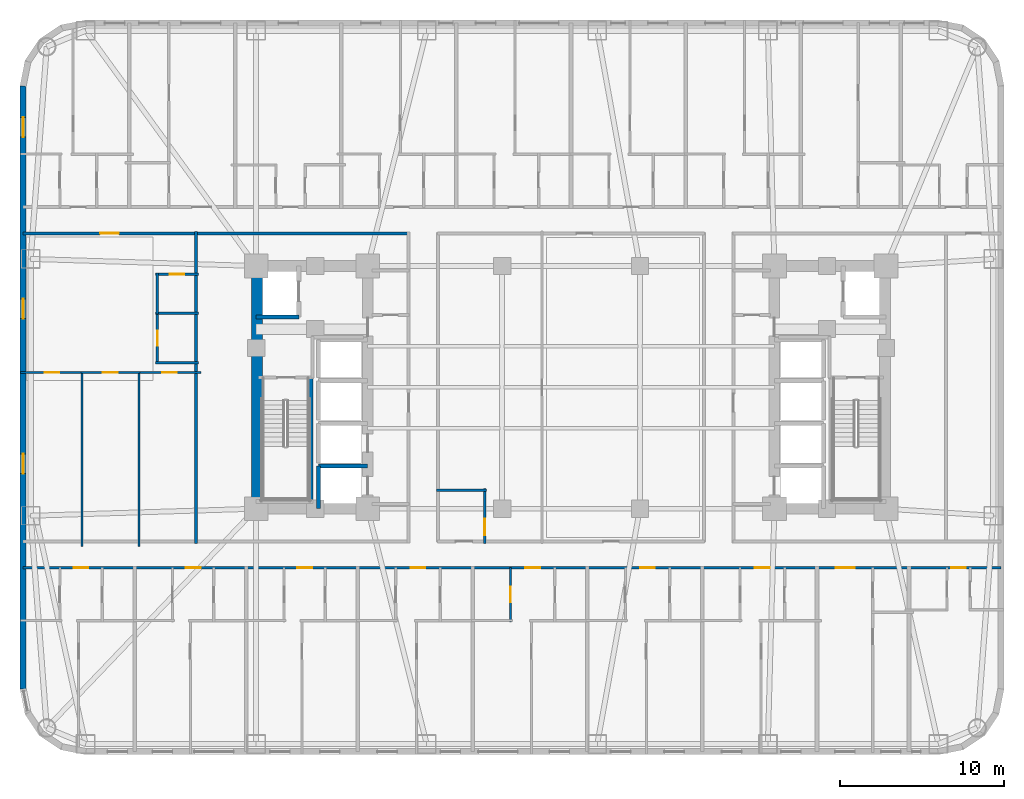
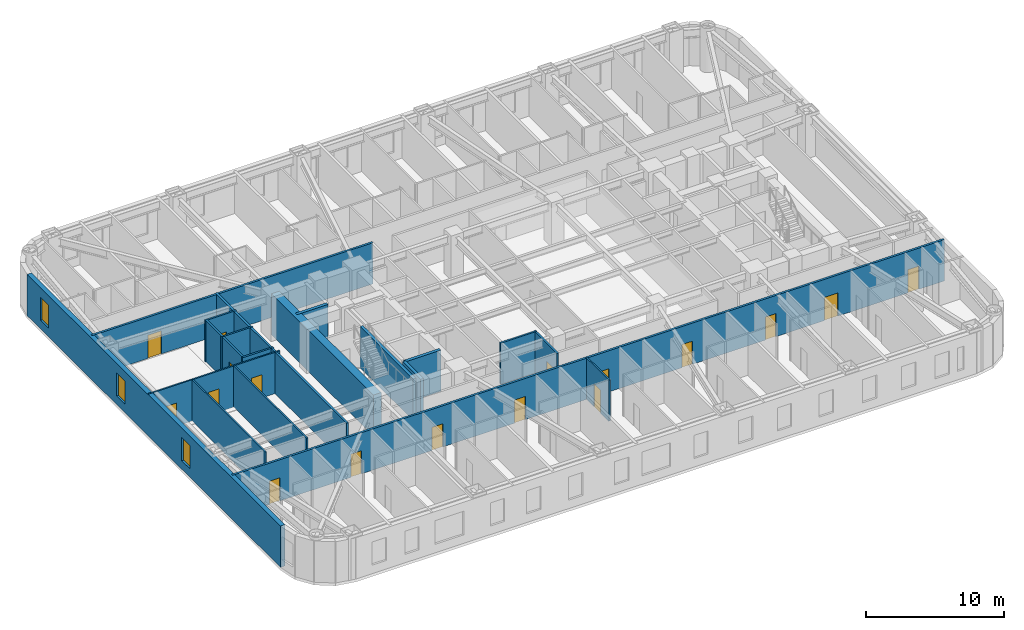
# One storey, part 4 of 12: 22 walls, 17 doors, 3 windows, 20 openings.
"""IFC4 building model written with IfcOpenShell, lengths in metres."""

from ifc_helpers import new_model, si_unit, direction, frame, frame_2d, origin, place, context, subcontext, project, spatial, rectangle, extrude, material, layer, layer_set, type_object, element, fill, save


model = new_model("IFC4")

# Units and contexts
model_context = context("Model", 3, precision=1e-05, world=origin(), true_north=direction((0.0, 1.0)))
body_context = subcontext(model_context, "Body", "Model", "MODEL_VIEW")
ifc_project = project(units=[si_unit("LENGTHUNIT", "METRE"), si_unit("AREAUNIT", "SQUARE_METRE"), si_unit("VOLUMEUNIT", "CUBIC_METRE"), si_unit("PLANEANGLEUNIT", "RADIAN"), si_unit("MASSUNIT", "GRAM", prefix="KILO")], contexts=[model_context])

# Site, building, storey
site_placement = place(None, origin())
site = spatial("IfcSite", under=ifc_project, at=site_placement, CompositionType="ELEMENT")
building_placement = place(site_placement, origin())
building = spatial("IfcBuilding", under=site, at=building_placement, Name="Voryun Gate Residences", CompositionType="ELEMENT")
storey_placement = place(building_placement, frame((0.0, 0.0, 65.0)))
storey = spatial("IfcBuildingStorey", under=building, at=storey_placement, Name="L15", CompositionType="ELEMENT", Elevation=65.0)

# Wall
ifc_material_1 = material(Name="Concrete C60/75", Category="concrete")
ifc_layer_1 = layer(ifc_material_1, 0.64990234375, Name="CW_CORE_650")
ifc_layer_set_1 = layer_set([ifc_layer_1], Name="Concrete C60/75")
wall_type_1 = type_object("IfcWallType", Name="CW_CORE_650", PredefinedType="SHEAR", material=ifc_layer_set_1)
wall_1_placement = place(storey_placement, frame((-19.14501953125, -7.39990234375, 0.0), z_axis=(0.0, 0.0, 1.0), x_axis=(0.0, 1.0, 0.0)))
element("IfcWall", 1, at=wall_1_placement, inside=storey, type_object=wall_type_1, Name="L15 Core shear wall CW-L15-WW", PredefinedType="SHEAR", context=body_context, shape_type="SweptSolid", body=[
    extrude(rectangle(XDim=14.7998046875, YDim=0.64990234375, at=frame_2d((7.39990234375, 0.0))), origin(), (0.0, 0.0, 1.0), 3.64990234375),
])

# Wall, opening, door
ifc_material_2 = material(Name="Gypsum acoustic fireboard")
ifc_layer_2 = layer(ifc_material_2, 0.179931640625, Name="W_CORR_RATED_180")
ifc_layer_set_2 = layer_set([ifc_layer_2], Name="Gypsum acoustic fireboard")
wall_type_2 = type_object("IfcWallType", Name="W_CORR_RATED_180", PredefinedType="PARTITIONING", material=ifc_layer_set_2)
wall_2_placement = place(storey_placement, frame((-33.409912109375, 9.389892578125, 0.0), z_axis=(0.0, 0.0, 1.0), x_axis=(1.0, 0.0, 0.0)))
wall_2 = element("IfcWall", 2, at=wall_2_placement, inside=storey, type_object=wall_type_2, Name="Partition wall WP-L15-CWING-WN", PredefinedType="PARTITIONING", context=body_context, shape_type="SweptSolid", body=[
    extrude(rectangle(XDim=23.530029296875, YDim=0.179931640625, at=frame_2d((11.76513671875, 0.0))), origin(), (0.0, 0.0, 1.0), 3.64990234375),
])
opening_1_placement = place(wall_2_placement, frame((4.69091796875, 0.0, 0.0)))
opening_1 = element("IfcOpeningElement", 3, at=opening_1_placement, cuts=wall_2, Name="Opening D-UNIT-1", PredefinedType="OPENING", context=body_context, shape_type="SweptSolid", body=[
    extrude(rectangle(XDim=1.14990234375, YDim=2.050048828125, at=frame_2d((0.574951171875, 1.02490234375))), frame((0.0, 0.099853515625, 0.0), z_axis=(0.0, -1.0, 0.0), x_axis=(1.0, 0.0, 0.0)), (0.0, 0.0, 1.0), 0.199951171875),
])
ifc_material_3 = material(Name="Armoured timber-clad fire door", Category="wood")
door_type_1 = type_object("IfcDoorType", Name="DR_UNIT_ENTRY_1150", OperationType="NOTDEFINED", PredefinedType="DOOR", material=ifc_material_3)
door_1_placement = place(opening_1_placement, origin())
door_1 = element("IfcDoor", 4, at=door_1_placement, inside=storey, type_object=door_type_1, Name="Door DR-L15-WE1N", OperationType="SINGLE_SWING_LEFT", OverallHeight=2.050048828125, OverallWidth=1.14990234375, PredefinedType="DOOR", context=body_context, shape_type="SweptSolid", body=[
    extrude(rectangle(XDim=1.14990234375, YDim=2.050048828125, at=frame_2d((0.574951171875, 1.02490234375))), frame((0.0, 0.02490234375, 0.0), z_axis=(0.0, -1.0, 0.0), x_axis=(1.0, 0.0, 0.0)), (0.0, 0.0, 1.0), 0.050048828125),
])
fill(opening_1, door_1)

# Wall, openings, doors
wall_3_placement = place(storey_placement, frame((-33.409912109375, -11.0, 0.0), z_axis=(0.0, 0.0, 1.0), x_axis=(1.0, 0.0, 0.0)))
wall_3 = element("IfcWall", 5, at=wall_3_placement, inside=storey, type_object=wall_type_2, Name="Partition wall WP-L15-SCORR", PredefinedType="PARTITIONING", context=body_context, shape_type="SweptSolid", body=[
    extrude(rectangle(XDim=59.619873046875, YDim=0.179931640625, at=frame_2d((29.81005859375, 0.0))), origin(), (0.0, 0.0, 1.0), 3.64990234375),
])
opening_2_placement = place(wall_3_placement, frame((3.07958984375, 0.0, 0.0)))
opening_2 = element("IfcOpeningElement", 6, at=opening_2_placement, cuts=wall_3, Name="Opening D-INT-2", PredefinedType="OPENING", context=body_context, shape_type="SweptSolid", body=[
    extrude(rectangle(XDim=0.89990234375, YDim=2.050048828125, at=frame_2d((0.449951171875, 1.02490234375))), frame((0.0, 0.099853515625, 0.0), z_axis=(0.0, -1.0, 0.0), x_axis=(1.0, 0.0, 0.0)), (0.0, 0.0, 1.0), 0.199951171875),
])
opening_3_placement = place(wall_3_placement, frame((9.91796875, 0.0, 0.0)))
opening_3 = element("IfcOpeningElement", 7, at=opening_3_placement, cuts=wall_3, Name="Opening D-INT-2", PredefinedType="OPENING", context=body_context, shape_type="SweptSolid", body=[
    extrude(rectangle(XDim=0.89990234375, YDim=2.050048828125, at=frame_2d((0.449951171875, 1.02490234375))), frame((0.0, 0.099853515625, 0.0), z_axis=(0.0, -1.0, 0.0), x_axis=(1.0, 0.0, 0.0)), (0.0, 0.0, 1.0), 0.199951171875),
])
opening_4_placement = place(wall_3_placement, frame((16.720703125, 0.0, 0.0)))
opening_4 = element("IfcOpeningElement", 8, at=opening_4_placement, cuts=wall_3, Name="Opening D-INT-2", PredefinedType="OPENING", context=body_context, shape_type="SweptSolid", body=[
    extrude(rectangle(XDim=0.89990234375, YDim=2.050048828125, at=frame_2d((0.449951171875, 1.02490234375))), frame((0.0, 0.099853515625, 0.0), z_axis=(0.0, -1.0, 0.0), x_axis=(1.0, 0.0, 0.0)), (0.0, 0.0, 1.0), 0.199951171875),
])
opening_5_placement = place(wall_3_placement, frame((23.62451171875, 0.0, 0.0)))
opening_5 = element("IfcOpeningElement", 9, at=opening_5_placement, cuts=wall_3, Name="Opening D-INT-2", PredefinedType="OPENING", context=body_context, shape_type="SweptSolid", body=[
    extrude(rectangle(XDim=0.89990234375, YDim=2.050048828125, at=frame_2d((0.449951171875, 1.02490234375))), frame((0.0, 0.099853515625, 0.0), z_axis=(0.0, -1.0, 0.0), x_axis=(1.0, 0.0, 0.0)), (0.0, 0.0, 1.0), 0.199951171875),
])
opening_6_placement = place(wall_3_placement, frame((30.623779296875, 0.0, 0.0)))
opening_6 = element("IfcOpeningElement", 10, at=opening_6_placement, cuts=wall_3, Name="Opening D-INT-2", PredefinedType="OPENING", context=body_context, shape_type="SweptSolid", body=[
    extrude(rectangle(XDim=0.89990234375, YDim=2.050048828125, at=frame_2d((0.449951171875, 1.02490234375))), frame((0.0, 0.099853515625, 0.0), z_axis=(0.0, -1.0, 0.0), x_axis=(1.0, 0.0, 0.0)), (0.0, 0.0, 1.0), 0.199951171875),
])
opening_7_placement = place(wall_3_placement, frame((37.623291015625, 0.0, 0.0)))
opening_7 = element("IfcOpeningElement", 11, at=opening_7_placement, cuts=wall_3, Name="Opening D-INT-2", PredefinedType="OPENING", context=body_context, shape_type="SweptSolid", body=[
    extrude(rectangle(XDim=0.89990234375, YDim=2.050048828125, at=frame_2d((0.449951171875, 1.02490234375))), frame((0.0, 0.099853515625, 0.0), z_axis=(0.0, -1.0, 0.0), x_axis=(1.0, 0.0, 0.0)), (0.0, 0.0, 1.0), 0.199951171875),
])
opening_8_placement = place(wall_3_placement, frame((44.622802734375, 0.0, 0.0)))
opening_8 = element("IfcOpeningElement", 12, at=opening_8_placement, cuts=wall_3, Name="Opening D-INT-2", PredefinedType="OPENING", context=body_context, shape_type="SweptSolid", body=[
    extrude(rectangle(XDim=0.89990234375, YDim=2.050048828125, at=frame_2d((0.449951171875, 1.02490234375))), frame((0.0, 0.099853515625, 0.0), z_axis=(0.0, -1.0, 0.0), x_axis=(1.0, 0.0, 0.0)), (0.0, 0.0, 1.0), 0.199951171875),
])
opening_9_placement = place(wall_3_placement, frame((49.5654296875, 0.0, 0.0)))
opening_9 = element("IfcOpeningElement", 13, at=opening_9_placement, cuts=wall_3, Name="Opening D-UNIT-1", PredefinedType="OPENING", context=body_context, shape_type="SweptSolid", body=[
    extrude(rectangle(XDim=1.14990234375, YDim=2.050048828125, at=frame_2d((0.574951171875, 1.02490234375))), frame((0.0, 0.099853515625, 0.0), z_axis=(0.0, -1.0, 0.0), x_axis=(1.0, 0.0, 0.0)), (0.0, 0.0, 1.0), 0.199951171875),
])
opening_10_placement = place(wall_3_placement, frame((56.58251953125, 0.0, 0.0)))
opening_10 = element("IfcOpeningElement", 14, at=opening_10_placement, cuts=wall_3, Name="Opening D-INT-2", PredefinedType="OPENING", context=body_context, shape_type="SweptSolid", body=[
    extrude(rectangle(XDim=0.89990234375, YDim=2.050048828125, at=frame_2d((0.449951171875, 1.02490234375))), frame((0.0, 0.099853515625, 0.0), z_axis=(0.0, -1.0, 0.0), x_axis=(1.0, 0.0, 0.0)), (0.0, 0.0, 1.0), 0.199951171875),
])
ifc_material_4 = material(Name="Architectural oak veneer")
door_type_2 = type_object("IfcDoorType", Name="DR_INT_BATH_900", OperationType="NOTDEFINED", PredefinedType="DOOR", material=ifc_material_4)
door_2_placement = place(opening_2_placement, origin())
door_2 = element("IfcDoor", 15, at=door_2_placement, inside=storey, type_object=door_type_2, Name="Door DR-L15-SENT-1", OperationType="SINGLE_SWING_RIGHT", OverallHeight=2.050048828125, OverallWidth=0.89990234375, PredefinedType="DOOR", context=body_context, shape_type="SweptSolid", body=[
    extrude(rectangle(XDim=0.89990234375, YDim=2.050048828125, at=frame_2d((0.449951171875, 1.02490234375))), frame((0.0, 0.02490234375, 0.0), z_axis=(0.0, -1.0, 0.0), x_axis=(1.0, 0.0, 0.0)), (0.0, 0.0, 1.0), 0.050048828125),
])
fill(opening_2, door_2)
door_3_placement = place(opening_3_placement, origin())
door_3 = element("IfcDoor", 16, at=door_3_placement, inside=storey, type_object=door_type_2, Name="Door DR-L15-SENT-2", OperationType="SINGLE_SWING_LEFT", OverallHeight=2.050048828125, OverallWidth=0.89990234375, PredefinedType="DOOR", context=body_context, shape_type="SweptSolid", body=[
    extrude(rectangle(XDim=0.89990234375, YDim=2.050048828125, at=frame_2d((0.449951171875, 1.02490234375))), frame((0.0, 0.02490234375, 0.0), z_axis=(0.0, -1.0, 0.0), x_axis=(1.0, 0.0, 0.0)), (0.0, 0.0, 1.0), 0.050048828125),
])
fill(opening_3, door_3)
door_4_placement = place(opening_4_placement, origin())
door_4 = element("IfcDoor", 17, at=door_4_placement, inside=storey, type_object=door_type_2, Name="Door DR-L15-SENT-3", OperationType="SINGLE_SWING_RIGHT", OverallHeight=2.050048828125, OverallWidth=0.89990234375, PredefinedType="DOOR", context=body_context, shape_type="SweptSolid", body=[
    extrude(rectangle(XDim=0.89990234375, YDim=2.050048828125, at=frame_2d((0.449951171875, 1.02490234375))), frame((0.0, 0.02490234375, 0.0), z_axis=(0.0, -1.0, 0.0), x_axis=(1.0, 0.0, 0.0)), (0.0, 0.0, 1.0), 0.050048828125),
])
fill(opening_4, door_4)
door_5_placement = place(opening_5_placement, origin())
door_5 = element("IfcDoor", 18, at=door_5_placement, inside=storey, type_object=door_type_2, Name="Door DR-L15-SENT-4", OperationType="SINGLE_SWING_LEFT", OverallHeight=2.050048828125, OverallWidth=0.89990234375, PredefinedType="DOOR", context=body_context, shape_type="SweptSolid", body=[
    extrude(rectangle(XDim=0.89990234375, YDim=2.050048828125, at=frame_2d((0.449951171875, 1.02490234375))), frame((0.0, 0.02490234375, 0.0), z_axis=(0.0, -1.0, 0.0), x_axis=(1.0, 0.0, 0.0)), (0.0, 0.0, 1.0), 0.050048828125),
])
fill(opening_5, door_5)
door_6_placement = place(opening_6_placement, origin())
door_6 = element("IfcDoor", 19, at=door_6_placement, inside=storey, type_object=door_type_2, Name="Door DR-L15-SENT-5", OperationType="SINGLE_SWING_RIGHT", OverallHeight=2.050048828125, OverallWidth=0.89990234375, PredefinedType="DOOR", context=body_context, shape_type="SweptSolid", body=[
    extrude(rectangle(XDim=0.89990234375, YDim=2.050048828125, at=frame_2d((0.449951171875, 1.02490234375))), frame((0.0, 0.02490234375, 0.0), z_axis=(0.0, -1.0, 0.0), x_axis=(1.0, 0.0, 0.0)), (0.0, 0.0, 1.0), 0.050048828125),
])
fill(opening_6, door_6)
door_7_placement = place(opening_7_placement, origin())
door_7 = element("IfcDoor", 20, at=door_7_placement, inside=storey, type_object=door_type_2, Name="Door DR-L15-SENT-6", OperationType="SINGLE_SWING_LEFT", OverallHeight=2.050048828125, OverallWidth=0.89990234375, PredefinedType="DOOR", context=body_context, shape_type="SweptSolid", body=[
    extrude(rectangle(XDim=0.89990234375, YDim=2.050048828125, at=frame_2d((0.449951171875, 1.02490234375))), frame((0.0, 0.02490234375, 0.0), z_axis=(0.0, -1.0, 0.0), x_axis=(1.0, 0.0, 0.0)), (0.0, 0.0, 1.0), 0.050048828125),
])
fill(opening_7, door_7)
door_8_placement = place(opening_8_placement, origin())
door_8 = element("IfcDoor", 21, at=door_8_placement, inside=storey, type_object=door_type_2, Name="Door DR-L15-SENT-7", OperationType="SINGLE_SWING_RIGHT", OverallHeight=2.050048828125, OverallWidth=0.89990234375, PredefinedType="DOOR", context=body_context, shape_type="SweptSolid", body=[
    extrude(rectangle(XDim=0.89990234375, YDim=2.050048828125, at=frame_2d((0.449951171875, 1.02490234375))), frame((0.0, 0.02490234375, 0.0), z_axis=(0.0, -1.0, 0.0), x_axis=(1.0, 0.0, 0.0)), (0.0, 0.0, 1.0), 0.050048828125),
])
fill(opening_8, door_8)
door_9_placement = place(opening_10_placement, origin())
door_9 = element("IfcDoor", 22, at=door_9_placement, inside=storey, type_object=door_type_2, Name="Door DR-L15-SENT-9", OperationType="SINGLE_SWING_RIGHT", OverallHeight=2.050048828125, OverallWidth=0.89990234375, PredefinedType="DOOR", context=body_context, shape_type="SweptSolid", body=[
    extrude(rectangle(XDim=0.89990234375, YDim=2.050048828125, at=frame_2d((0.449951171875, 1.02490234375))), frame((0.0, 0.02490234375, 0.0), z_axis=(0.0, -1.0, 0.0), x_axis=(1.0, 0.0, 0.0)), (0.0, 0.0, 1.0), 0.050048828125),
])
fill(opening_10, door_9)
door_10_placement = place(opening_9_placement, origin())
door_10 = element("IfcDoor", 23, at=door_10_placement, inside=storey, type_object=door_type_1, Name="Door DR-L15-SENT-8", OperationType="SINGLE_SWING_LEFT", OverallHeight=2.050048828125, OverallWidth=1.14990234375, PredefinedType="DOOR", context=body_context, shape_type="SweptSolid", body=[
    extrude(rectangle(XDim=1.14990234375, YDim=2.050048828125, at=frame_2d((0.574951171875, 1.02490234375))), frame((0.0, 0.02490234375, 0.0), z_axis=(0.0, -1.0, 0.0), x_axis=(1.0, 0.0, 0.0)), (0.0, 0.0, 1.0), 0.050048828125),
])
fill(opening_9, door_10)

# Wall
wall_4_placement = place(storey_placement, frame((-22.8701171875, -9.510009765625, 0.0), z_axis=(0.0, 0.0, 1.0), x_axis=(0.0, 1.0, 0.0)))
element("IfcWall", 24, at=wall_4_placement, inside=storey, type_object=wall_type_2, Name="Partition wall WP-L15-WCOR", PredefinedType="PARTITIONING", context=body_context, shape_type="SweptSolid", body=[
    extrude(rectangle(XDim=19.02001953125, YDim=0.179931640625, at=frame_2d((9.510009765625, 0.0))), origin(), (0.0, 0.0, 1.0), 3.64990234375),
])

# Wall, openings, windows
ifc_material_5 = material(Name="Granite masonry", Category="masonry")
ifc_layer_3 = layer(ifc_material_5, 0.3798828125, Name="W_EXT_GRANITE_380")
ifc_layer_set_3 = layer_set([ifc_layer_3], Name="Granite masonry")
wall_type_3 = type_object("IfcWallType", Name="W_EXT_GRANITE_380", PredefinedType="ELEMENTEDWALL", material=ifc_layer_set_3)
wall_5_placement = place(storey_placement, frame((-33.409912109375, -18.38134765625, 0.0), z_axis=(0.0, 0.0, 1.0), x_axis=(0.0, 1.0, 0.0)))
wall_5 = element("IfcWall", 25, at=wall_5_placement, inside=storey, type_object=wall_type_3, Name="Exterior wall WEXT-L15-06", PredefinedType="ELEMENTEDWALL", context=body_context, shape_type="SweptSolid", body=[
    extrude(rectangle(XDim=36.7626953125, YDim=0.3798828125, at=frame_2d((18.38134765625, 0.0))), origin(), (0.0, 0.0, 1.0), 3.64990234375),
])
opening_11_placement = place(wall_5_placement, frame((33.636962890625, 0.0, 0.75)))
opening_11 = element("IfcOpeningElement", 26, at=opening_11_placement, cuts=wall_5, Name="Opening WN6", PredefinedType="OPENING", context=body_context, shape_type="SweptSolid", body=[
    extrude(rectangle(XDim=1.199951171875, YDim=2.050048828125, at=frame_2d((0.60009765625, 1.02490234375))), frame((0.0, 0.199951171875, 0.0), z_axis=(0.0, -1.0, 0.0), x_axis=(1.0, 0.0, 0.0)), (0.0, 0.0, 1.0), 0.39990234375),
])
opening_12_placement = place(wall_5_placement, frame((22.576416015625, 0.0, 0.75)))
opening_12 = element("IfcOpeningElement", 27, at=opening_12_placement, cuts=wall_5, Name="Opening WN6", PredefinedType="OPENING", context=body_context, shape_type="SweptSolid", body=[
    extrude(rectangle(XDim=1.199951171875, YDim=2.050048828125, at=frame_2d((0.60009765625, 1.02490234375))), frame((0.0, 0.199951171875, 0.0), z_axis=(0.0, -1.0, 0.0), x_axis=(1.0, 0.0, 0.0)), (0.0, 0.0, 1.0), 0.39990234375),
])
opening_13_placement = place(wall_5_placement, frame((13.126220703125, 0.0, 0.75)))
opening_13 = element("IfcOpeningElement", 28, at=opening_13_placement, cuts=wall_5, Name="Opening WN6", PredefinedType="OPENING", context=body_context, shape_type="SweptSolid", body=[
    extrude(rectangle(XDim=1.199951171875, YDim=2.050048828125, at=frame_2d((0.60009765625, 1.02490234375))), frame((0.0, 0.199951171875, 0.0), z_axis=(0.0, -1.0, 0.0), x_axis=(1.0, 0.0, 0.0)), (0.0, 0.0, 1.0), 0.39990234375),
])
ifc_material_6 = material(Name="Laminated low-E glass", Category="glass")
window_type = type_object("IfcWindowType", Name="WN_POD_SLOT_1200", PartitioningType="SINGLE_PANEL", PredefinedType="WINDOW", material=ifc_material_6)
window_1_placement = place(opening_11_placement, origin())
window_1 = element("IfcWindow", 29, at=window_1_placement, inside=storey, type_object=window_type, Name="Window WN-L15-DWFIX-01", OverallHeight=2.050048828125, OverallWidth=1.199951171875, PartitioningType="SINGLE_PANEL", PredefinedType="WINDOW", context=body_context, shape_type="SweptSolid", body=[
    extrude(rectangle(XDim=1.199951171875, YDim=2.050048828125, at=frame_2d((0.60009765625, 1.02490234375))), frame((0.0, 0.030029296875, 0.0), z_axis=(0.0, -1.0, 0.0), x_axis=(1.0, 0.0, 0.0)), (0.0, 0.0, 1.0), 0.06005859375),
])
fill(opening_11, window_1)
window_2_placement = place(opening_12_placement, origin())
window_2 = element("IfcWindow", 30, at=window_2_placement, inside=storey, type_object=window_type, Name="Window WN-L15-DWFIX-29", OverallHeight=2.050048828125, OverallWidth=1.199951171875, PartitioningType="SINGLE_PANEL", PredefinedType="WINDOW", context=body_context, shape_type="SweptSolid", body=[
    extrude(rectangle(XDim=1.199951171875, YDim=2.050048828125, at=frame_2d((0.60009765625, 1.02490234375))), frame((0.0, 0.030029296875, 0.0), z_axis=(0.0, -1.0, 0.0), x_axis=(1.0, 0.0, 0.0)), (0.0, 0.0, 1.0), 0.06005859375),
])
fill(opening_12, window_2)
window_3_placement = place(opening_13_placement, origin())
window_3 = element("IfcWindow", 31, at=window_3_placement, inside=storey, type_object=window_type, Name="Window WN-L15-DWFIX-30", OverallHeight=2.050048828125, OverallWidth=1.199951171875, PartitioningType="SINGLE_PANEL", PredefinedType="WINDOW", context=body_context, shape_type="SweptSolid", body=[
    extrude(rectangle(XDim=1.199951171875, YDim=2.050048828125, at=frame_2d((0.60009765625, 1.02490234375))), frame((0.0, 0.030029296875, 0.0), z_axis=(0.0, -1.0, 0.0), x_axis=(1.0, 0.0, 0.0)), (0.0, 0.0, 1.0), 0.06005859375),
])
fill(opening_13, window_3)

# Walls
ifc_material_7 = material(Name="Concrete C50/60", Category="concrete")
ifc_layer_4 = layer(ifc_material_7, 0.25, Name="W_SHAFT_RC250")
ifc_layer_set_4 = layer_set([ifc_layer_4], Name="Concrete C50/60")
wall_type_4 = type_object("IfcWallType", Name="W_SHAFT_RC250", PredefinedType="SOLIDWALL", material=ifc_layer_set_4)
wall_6_placement = place(storey_placement, frame((-15.860107421875, -7.0849609375, 0.0), z_axis=(0.0, 0.0, 1.0), x_axis=(0.0, 1.0, 0.0)))
element("IfcWall", 32, at=wall_6_placement, inside=storey, type_object=wall_type_4, Name="L15 Stair shaft structural wall W-STR", PredefinedType="SOLIDWALL", context=body_context, shape_type="SweptSolid", body=[
    extrude(rectangle(XDim=7.68505859375, YDim=0.25, at=frame_2d((3.842529296875, 0.0))), origin(), (0.0, 0.0, 1.0), 3.64990234375),
])
wall_7_placement = place(storey_placement, frame((-19.199951171875, 4.300048828125, 0.0), z_axis=(0.0, 0.0, 1.0), x_axis=(1.0, 0.0, 0.0)))
element("IfcWall", 33, at=wall_7_placement, inside=storey, type_object=wall_type_4, Name="Lift shaft wall WSH-L15-EL-FF-W1-S", PredefinedType="SOLIDWALL", context=body_context, shape_type="SweptSolid", body=[
    extrude(rectangle(XDim=2.599853515625, YDim=0.25, at=frame_2d((1.2998046875, 0.0))), origin(), (0.0, 0.0, 1.0), 3.64990234375),
])
wall_8_placement = place(storey_placement, frame((-12.39990234375, -4.800048828125, 0.0), z_axis=(0.0, 0.0, 1.0), x_axis=(-1.0, 0.0, 0.0)))
element("IfcWall", 34, at=wall_8_placement, inside=storey, type_object=wall_type_4, Name="Lift shaft wall WSH-L15-EL-P1-N", PredefinedType="SOLIDWALL", context=body_context, shape_type="SweptSolid", body=[
    extrude(rectangle(XDim=3.0, YDim=0.25, at=frame_2d((1.5, 0.0))), origin(), (0.0, 0.0, 1.0), 3.64990234375),
])
wall_9_placement = place(storey_placement, frame((-15.39990234375, -4.800048828125, 0.0), z_axis=(0.0, 0.0, 1.0), x_axis=(0.0, -1.0, 0.0)))
element("IfcWall", 35, at=wall_9_placement, inside=storey, type_object=wall_type_4, Name="Lift shaft wall WSH-L15-EL-P1-W", PredefinedType="SOLIDWALL", context=body_context, shape_type="SweptSolid", body=[
    extrude(rectangle(XDim=2.599853515625, YDim=0.25, at=frame_2d((1.2998046875, 0.0))), origin(), (0.0, 0.0, 1.0), 3.64990234375),
])

# Wall, opening, door
ifc_material_8 = material(Name="Gypsum acoustic partition")
ifc_layer_5 = layer(ifc_material_8, 0.125, Name="W_UNIT_PART_125")
ifc_layer_set_5 = layer_set([ifc_layer_5], Name="Gypsum acoustic partition")
wall_type_5 = type_object("IfcWallType", Name="W_UNIT_PART_125", PredefinedType="PARTITIONING", material=ifc_layer_set_5)
wall_10_placement = place(storey_placement, frame((-3.68994140625, -14.300048828125, 0.0), z_axis=(0.0, 0.0, 1.0), x_axis=(0.0, 1.0, 0.0)))
wall_10 = element("IfcWall", 36, at=wall_10_placement, inside=storey, type_object=wall_type_5, Name="Partition wall WP-L15-S5-IVK", PredefinedType="PARTITIONING", context=body_context, shape_type="SweptSolid", body=[
    extrude(rectangle(XDim=3.320068359375, YDim=0.125, at=frame_2d((1.66015625, 0.0))), origin(), (0.0, 0.0, 1.0), 3.64990234375),
])
opening_14_placement = place(wall_10_placement, frame((1.18505859375, 0.0, 0.0)))
opening_14 = element("IfcOpeningElement", 37, at=opening_14_placement, cuts=wall_10, Name="Opening D-INT-1", PredefinedType="OPENING", context=body_context, shape_type="SweptSolid", body=[
    extrude(rectangle(XDim=0.949951171875, YDim=2.050048828125, at=frame_2d((0.47509765625, 1.02490234375))), frame((0.0, 0.072509765625, 0.0), z_axis=(0.0, -1.0, 0.0), x_axis=(1.0, 0.0, 0.0)), (0.0, 0.0, 1.0), 0.14501953125),
])
ifc_material_9 = material(Name="Architectural oak veneer")
door_type_3 = type_object("IfcDoorType", Name="DR_INT_ROOM_950", OperationType="NOTDEFINED", PredefinedType="DOOR", material=ifc_material_9)
door_11_placement = place(opening_14_placement, origin())
door_11 = element("IfcDoor", 38, at=door_11_placement, inside=storey, type_object=door_type_3, Name="Door DR-L15-S5-DK", OperationType="SINGLE_SWING_LEFT", OverallHeight=2.050048828125, OverallWidth=0.949951171875, PredefinedType="DOOR", context=body_context, shape_type="SweptSolid", body=[
    extrude(rectangle(XDim=0.949951171875, YDim=2.050048828125, at=frame_2d((0.47509765625, 1.02490234375))), frame((0.0, 0.02490234375, 0.0), z_axis=(0.0, -1.0, 0.0), x_axis=(1.0, 0.0, 0.0)), (0.0, 0.0, 1.0), 0.050048828125),
])
fill(opening_14, door_11)

wall_11_placement = place(storey_placement, frame((-33.56005859375, 0.909912109375, 0.0), z_axis=(0.0, 0.0, 1.0), x_axis=(1.0, 0.0, 0.0)))
wall_11 = element("IfcWall", 39, at=wall_11_placement, inside=storey, type_object=wall_type_5, Name="Partition wall WP-L15-W1-HZMB1", PredefinedType="PARTITIONING", context=body_context, shape_type="SweptSolid", body=[
    extrude(rectangle(XDim=3.79150390625, YDim=0.125, at=frame_2d((1.895751953125, 0.0))), origin(), (0.0, 0.0, 1.0), 3.64990234375),
])
opening_15_placement = place(wall_11_placement, frame((1.45458984375, 0.0, 0.0)))
opening_15 = element("IfcOpeningElement", 40, at=opening_15_placement, cuts=wall_11, Name="Opening D-INT-2", PredefinedType="OPENING", context=body_context, shape_type="SweptSolid", body=[
    extrude(rectangle(XDim=0.89990234375, YDim=2.050048828125, at=frame_2d((0.449951171875, 1.02490234375))), frame((0.0, 0.072509765625, 0.0), z_axis=(0.0, -1.0, 0.0), x_axis=(1.0, 0.0, 0.0)), (0.0, 0.0, 1.0), 0.14501953125),
])
door_12_placement = place(opening_15_placement, origin())
door_12 = element("IfcDoor", 41, at=door_12_placement, inside=storey, type_object=door_type_2, Name="Door DR-L15-W1-DMB", OperationType="SINGLE_SWING_LEFT", OverallHeight=2.050048828125, OverallWidth=0.89990234375, PredefinedType="DOOR", context=body_context, shape_type="SweptSolid", body=[
    extrude(rectangle(XDim=0.89990234375, YDim=2.050048828125, at=frame_2d((0.449951171875, 1.02490234375))), frame((0.0, 0.02490234375, 0.0), z_axis=(0.0, -1.0, 0.0), x_axis=(1.0, 0.0, 0.0)), (0.0, 0.0, 1.0), 0.050048828125),
])
fill(opening_15, door_12)

wall_12_placement = place(storey_placement, frame((-29.8935546875, 0.909912109375, 0.0), z_axis=(0.0, 0.0, 1.0), x_axis=(1.0, 0.0, 0.0)))
wall_12 = element("IfcWall", 42, at=wall_12_placement, inside=storey, type_object=wall_type_5, Name="Partition wall WP-L15-W1-HZMB2", PredefinedType="PARTITIONING", context=body_context, shape_type="SweptSolid", body=[
    extrude(rectangle(XDim=3.60498046875, YDim=0.125, at=frame_2d((1.802490234375, 0.0))), origin(), (0.0, 0.0, 1.0), 3.64990234375),
])
opening_16_placement = place(wall_12_placement, frame((1.3525390625, 0.0, 0.0)))
opening_16 = element("IfcOpeningElement", 43, at=opening_16_placement, cuts=wall_12, Name="Opening D-INT-2", PredefinedType="OPENING", context=body_context, shape_type="SweptSolid", body=[
    extrude(rectangle(XDim=0.89990234375, YDim=2.050048828125, at=frame_2d((0.449951171875, 1.02490234375))), frame((0.0, 0.072509765625, 0.0), z_axis=(0.0, -1.0, 0.0), x_axis=(1.0, 0.0, 0.0)), (0.0, 0.0, 1.0), 0.14501953125),
])
door_13_placement = place(opening_16_placement, origin())
door_13 = element("IfcDoor", 44, at=door_13_placement, inside=storey, type_object=door_type_2, Name="Door DR-L15-W1-DBD2", OperationType="SINGLE_SWING_RIGHT", OverallHeight=2.050048828125, OverallWidth=0.89990234375, PredefinedType="DOOR", context=body_context, shape_type="SweptSolid", body=[
    extrude(rectangle(XDim=0.89990234375, YDim=2.050048828125, at=frame_2d((0.449951171875, 1.02490234375))), frame((0.0, 0.02490234375, 0.0), z_axis=(0.0, -1.0, 0.0), x_axis=(1.0, 0.0, 0.0)), (0.0, 0.0, 1.0), 0.050048828125),
])
fill(opening_16, door_13)

wall_13_placement = place(storey_placement, frame((-26.41357421875, 0.909912109375, 0.0), z_axis=(0.0, 0.0, 1.0), x_axis=(1.0, 0.0, 0.0)))
wall_13 = element("IfcWall", 45, at=wall_13_placement, inside=storey, type_object=wall_type_5, Name="Partition wall WP-L15-W1-HZMB3", PredefinedType="PARTITIONING", context=body_context, shape_type="SweptSolid", body=[
    extrude(rectangle(XDim=3.863525390625, YDim=0.125, at=frame_2d((1.931640625, 0.0))), origin(), (0.0, 0.0, 1.0), 3.64990234375),
])
opening_17_placement = place(wall_13_placement, frame((1.472900390625, 0.0, 0.0)))
opening_17 = element("IfcOpeningElement", 46, at=opening_17_placement, cuts=wall_13, Name="Opening D-INT-2", PredefinedType="OPENING", context=body_context, shape_type="SweptSolid", body=[
    extrude(rectangle(XDim=0.89990234375, YDim=2.050048828125, at=frame_2d((0.449951171875, 1.02490234375))), frame((0.0, 0.072509765625, 0.0), z_axis=(0.0, -1.0, 0.0), x_axis=(1.0, 0.0, 0.0)), (0.0, 0.0, 1.0), 0.14501953125),
])
door_14_placement = place(opening_17_placement, origin())
door_14 = element("IfcDoor", 47, at=door_14_placement, inside=storey, type_object=door_type_2, Name="Door DR-L15-W1-DBD3", OperationType="SINGLE_SWING_LEFT", OverallHeight=2.050048828125, OverallWidth=0.89990234375, PredefinedType="DOOR", context=body_context, shape_type="SweptSolid", body=[
    extrude(rectangle(XDim=0.89990234375, YDim=2.050048828125, at=frame_2d((0.449951171875, 1.02490234375))), frame((0.0, 0.02490234375, 0.0), z_axis=(0.0, -1.0, 0.0), x_axis=(1.0, 0.0, 0.0)), (0.0, 0.0, 1.0), 0.050048828125),
])
fill(opening_17, door_14)

# Walls
for number, where, z_axis, x_axis, name in (
    (48, (-26.35107421875, -9.7099609375, 0.0), (0.0, 0.0, 1.0), (0.0, 1.0, 0.0), "Partition wall WP-L15-W1-VMB2"),
    (49, (-29.8310546875, -9.7099609375, 0.0), (0.0, 0.0, 1.0), (0.0, 1.0, 0.0), "Partition wall WP-L15-W1-VMB"),
):
    element("IfcWall", number, at=place(storey_placement, frame(where, z_axis=z_axis, x_axis=x_axis)), inside=storey, type_object=wall_type_5, Name=name, PredefinedType="PARTITIONING", context=body_context, shape_type="SweptSolid", body=[
        extrude(rectangle(XDim=10.679931640625, YDim=0.125, at=frame_2d((5.33984375, 0.0))), origin(), (0.0, 0.0, 1.0), 3.64990234375),
    ])

# Wall, opening, door
ifc_material_10 = material(Name="Gypsum moisture-resistant partition")
ifc_layer_6 = layer(ifc_material_10, 0.14990234375, Name="W_WET_PLUMB_150")
ifc_layer_set_6 = layer_set([ifc_layer_6], Name="Gypsum moisture-resistant partition")
wall_type_6 = type_object("IfcWallType", Name="W_WET_PLUMB_150", PredefinedType="PLUMBINGWALL", material=ifc_layer_set_6)
wall_14_placement = place(storey_placement, frame((-5.260009765625, -9.52001953125, 0.0), z_axis=(0.0, 0.0, 1.0), x_axis=(0.0, 1.0, 0.0)))
wall_14 = element("IfcWall", 50, at=wall_14_placement, inside=storey, type_object=wall_type_6, Name="Partition wall WP-L15-CMWCX", PredefinedType="PLUMBINGWALL", context=body_context, shape_type="SweptSolid", body=[
    extrude(rectangle(XDim=3.35009765625, YDim=0.14990234375, at=frame_2d((1.675048828125, 0.0))), origin(), (0.0, 0.0, 1.0), 3.64990234375),
])
opening_18_placement = place(wall_14_placement, frame((0.514892578125, 0.0, 0.0)))
opening_18 = element("IfcOpeningElement", 51, at=opening_18_placement, cuts=wall_14, Name="Opening D-AWC-1", PredefinedType="OPENING", context=body_context, shape_type="SweptSolid", body=[
    extrude(rectangle(XDim=1.0, YDim=2.050048828125, at=frame_2d((0.5, 1.02490234375))), frame((0.0, 0.0849609375, 0.0), z_axis=(0.0, -1.0, 0.0), x_axis=(1.0, 0.0, 0.0)), (0.0, 0.0, 1.0), 0.169921875),
])
ifc_material_11 = material(Name="Architectural oak veneer")
door_type_4 = type_object("IfcDoorType", Name="DR_ACC_WC_1000", OperationType="NOTDEFINED", PredefinedType="DOOR", material=ifc_material_11)
door_15_placement = place(opening_18_placement, origin())
door_15 = element("IfcDoor", 52, at=door_15_placement, inside=storey, type_object=door_type_4, Name="Door DR-L15-CMWC", OperationType="SINGLE_SWING_LEFT", OverallHeight=2.050048828125, OverallWidth=1.0, PredefinedType="DOOR", context=body_context, shape_type="SweptSolid", body=[
    extrude(rectangle(XDim=1.0, YDim=2.050048828125, at=frame_2d((0.5, 1.02490234375))), frame((0.0, 0.02490234375, 0.0), z_axis=(0.0, -1.0, 0.0), x_axis=(1.0, 0.0, 0.0)), (0.0, 0.0, 1.0), 0.050048828125),
])
fill(opening_18, door_15)

# Wall
wall_15_placement = place(storey_placement, frame((-8.2099609375, -6.27001953125, 0.0), z_axis=(0.0, 0.0, 1.0), x_axis=(1.0, 0.0, 0.0)))
element("IfcWall", 53, at=wall_15_placement, inside=storey, type_object=wall_type_6, Name="Partition wall WP-L15-CMWCY", PredefinedType="PLUMBINGWALL", context=body_context, shape_type="SweptSolid", body=[
    extrude(rectangle(XDim=3.050048828125, YDim=0.14990234375, at=frame_2d((1.52490234375, 0.0))), origin(), (0.0, 0.0, 1.0), 3.64990234375),
])

# Wall, opening, door
wall_16_placement = place(storey_placement, frame((-25.340087890625, 6.89990234375, 0.0), z_axis=(0.0, 0.0, 1.0), x_axis=(1.0, 0.0, 0.0)))
wall_16 = element("IfcWall", 54, at=wall_16_placement, inside=storey, type_object=wall_type_6, Name="Partition wall WP-L15-W1-IBT", PredefinedType="PLUMBINGWALL", context=body_context, shape_type="SweptSolid", body=[
    extrude(rectangle(XDim=2.6201171875, YDim=0.14990234375, at=frame_2d((1.31005859375, 0.0))), origin(), (0.0, 0.0, 1.0), 3.64990234375),
])
opening_19_placement = place(wall_16_placement, frame((0.860107421875, 0.0, 0.0)))
opening_19 = element("IfcOpeningElement", 55, at=opening_19_placement, cuts=wall_16, Name="Opening D-INT-2", PredefinedType="OPENING", context=body_context, shape_type="SweptSolid", body=[
    extrude(rectangle(XDim=0.89990234375, YDim=2.050048828125, at=frame_2d((0.449951171875, 1.02490234375))), frame((0.0, 0.0849609375, 0.0), z_axis=(0.0, -1.0, 0.0), x_axis=(1.0, 0.0, 0.0)), (0.0, 0.0, 1.0), 0.169921875),
])
door_16_placement = place(opening_19_placement, origin())
door_16 = element("IfcDoor", 56, at=door_16_placement, inside=storey, type_object=door_type_2, Name="Door DR-L15-W1-DK", OperationType="SINGLE_SWING_LEFT", OverallHeight=2.050048828125, OverallWidth=0.89990234375, PredefinedType="DOOR", context=body_context, shape_type="SweptSolid", body=[
    extrude(rectangle(XDim=0.89990234375, YDim=2.050048828125, at=frame_2d((0.449951171875, 1.02490234375))), frame((0.0, 0.02490234375, 0.0), z_axis=(0.0, -1.0, 0.0), x_axis=(1.0, 0.0, 0.0)), (0.0, 0.0, 1.0), 0.050048828125),
])
fill(opening_19, door_16)

# Walls
for number, where, z_axis, x_axis, name in (
    (57, (-25.340087890625, 4.52001953125, 0.0), (0.0, 0.0, 1.0), (1.0, 0.0, 0.0), "Partition wall WP-L15-W1-IKB"),
    (58, (-25.340087890625, 1.5, 0.0), (0.0, 0.0, 1.0), (1.0, 0.0, 0.0), "Partition wall WP-L15-W1-IBB"),
):
    element("IfcWall", number, at=place(storey_placement, frame(where, z_axis=z_axis, x_axis=x_axis)), inside=storey, type_object=wall_type_6, Name=name, PredefinedType="PLUMBINGWALL", context=body_context, shape_type="SweptSolid", body=[
        extrude(rectangle(XDim=2.6201171875, YDim=0.14990234375, at=frame_2d((1.31005859375, 0.0))), origin(), (0.0, 0.0, 1.0), 3.64990234375),
    ])

# Wall, opening, door
wall_17_placement = place(storey_placement, frame((-25.219970703125, 1.43994140625, 0.0), z_axis=(0.0, 0.0, 1.0), x_axis=(0.0, 1.0, 0.0)))
wall_17 = element("IfcWall", 59, at=wall_17_placement, inside=storey, type_object=wall_type_6, Name="Partition wall WP-L15-W1-VTSK1", PredefinedType="PLUMBINGWALL", context=body_context, shape_type="SweptSolid", body=[
    extrude(rectangle(XDim=3.1201171875, YDim=0.14990234375, at=frame_2d((1.56005859375, 0.0))), origin(), (0.0, 0.0, 1.0), 3.64990234375),
])
opening_20_placement = place(wall_17_placement, frame((1.110107421875, 0.0, 0.0)))
opening_20 = element("IfcOpeningElement", 60, at=opening_20_placement, cuts=wall_17, Name="Opening D-INT-2", PredefinedType="OPENING", context=body_context, shape_type="SweptSolid", body=[
    extrude(rectangle(XDim=0.89990234375, YDim=2.050048828125, at=frame_2d((0.449951171875, 1.02490234375))), frame((0.0, 0.0849609375, 0.0), z_axis=(0.0, -1.0, 0.0), x_axis=(1.0, 0.0, 0.0)), (0.0, 0.0, 1.0), 0.169921875),
])
door_17_placement = place(opening_20_placement, origin())
door_17 = element("IfcDoor", 61, at=door_17_placement, inside=storey, type_object=door_type_2, Name="Door DR-L15-W1-DB", OperationType="SINGLE_SWING_RIGHT", OverallHeight=2.050048828125, OverallWidth=0.89990234375, PredefinedType="DOOR", context=body_context, shape_type="SweptSolid", body=[
    extrude(rectangle(XDim=0.89990234375, YDim=2.050048828125, at=frame_2d((0.449951171875, 1.02490234375))), frame((0.0, 0.02490234375, 0.0), z_axis=(0.0, -1.0, 0.0), x_axis=(1.0, 0.0, 0.0)), (0.0, 0.0, 1.0), 0.050048828125),
])
fill(opening_20, door_17)

# Wall
wall_18_placement = place(storey_placement, frame((-25.219970703125, 4.47998046875, 0.0), z_axis=(0.0, 0.0, 1.0), x_axis=(0.0, 1.0, 0.0)))
element("IfcWall", 62, at=wall_18_placement, inside=storey, type_object=wall_type_6, Name="Partition wall WP-L15-W1-VTSK2", PredefinedType="PLUMBINGWALL", context=body_context, shape_type="SweptSolid", body=[
    extrude(rectangle(XDim=2.47998046875, YDim=0.14990234375, at=frame_2d((1.239990234375, 0.0))), origin(), (0.0, 0.0, 1.0), 3.64990234375),
])

save(model, "model.ifc")
